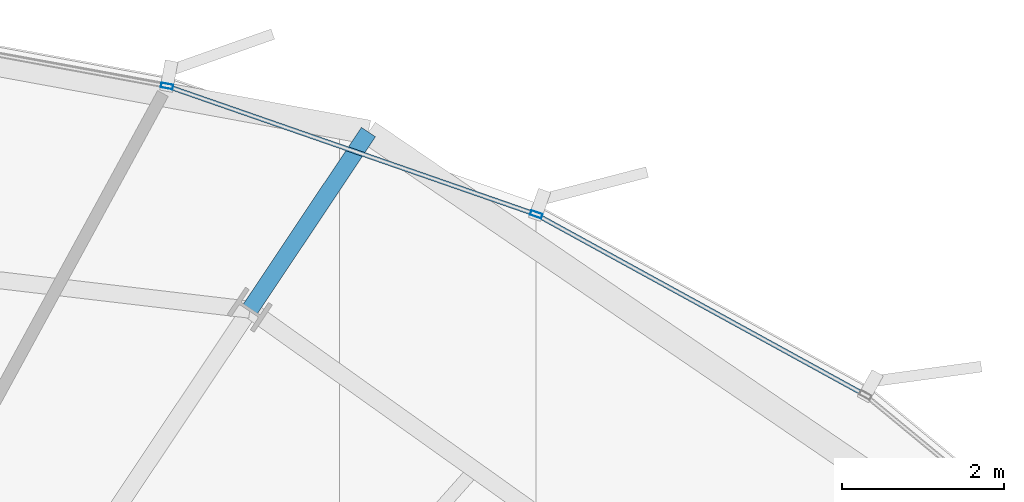
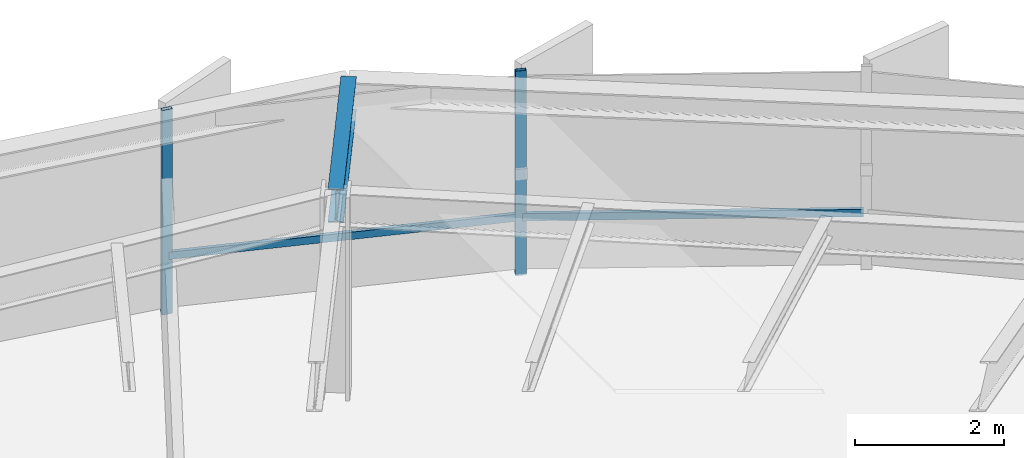
# One storey, part 24 of 35: 4 members, 1 beam, 1 element without a shape of its own.
"""IFC4 building model written with IfcOpenShell, lengths in metres."""

from ifc_helpers import new_model, si_unit, direction, frame, origin, origin_2d, place, context, subcontext, project, spatial, hollow_rectangle, i_section, extrude, source, transform, mapped, material, layer, layer_set, material_profile, profile_set, type_object, element, aggregate, save


model = new_model("IFC4")

# Units and contexts
model_context = context("Model", 3, precision=1e-05, world=origin(), true_north=direction((0.0, 1.0)))
body_context = subcontext(model_context, "Body", "Model", "MODEL_VIEW")
ifc_project = project(units=[si_unit("LENGTHUNIT", "METRE"), si_unit("AREAUNIT", "SQUARE_METRE"), si_unit("VOLUMEUNIT", "CUBIC_METRE"), si_unit("PLANEANGLEUNIT", "RADIAN"), si_unit("MASSUNIT", "GRAM", prefix="KILO"), si_unit("THERMODYNAMICTEMPERATUREUNIT", "KELVIN")], contexts=[model_context])

# Site, building, storey
site_placement = place(None, origin())
site = spatial("IfcSite", under=ifc_project, at=site_placement, CompositionType="ELEMENT")
building_placement = place(site_placement, origin())
building = spatial("IfcBuilding", under=site, at=building_placement, Name="Kethvar Cultural Tower", CompositionType="ELEMENT")
storey_placement = place(building_placement, frame((0.0, 0.0, 107.199951171875)))
storey = spatial("IfcBuildingStorey", under=building, at=storey_placement, Name="L26", CompositionType="ELEMENT", Elevation=107.199951171875)

# Beam
ifc_material_1 = material(Name="Steel S355J2", Category="steel")
ifc_material_profile_1 = material_profile(ifc_material_1, i_section(OverallWidth=0.2099609375, OverallDepth=0.550048828125, WebThickness=0.010986328125, FlangeThickness=0.01708984375, FilletRadius=0.02392578125, at=origin_2d()), Name="Steel S355J2 — IPE550")
ifc_profile_set_1 = profile_set([ifc_material_profile_1], Name="Steel S355J2 — IPE550")
beam_type = type_object("IfcBeamType", Name="BM-IPE550", PredefinedType="BEAM", material=ifc_profile_set_1)
shared_shape_1 = source(origin(), body_context, "Body", "SweptSolid", [
    extrude(i_section(OverallWidth=0.2099609375, OverallDepth=0.550048828125, WebThickness=0.010986328125, FlangeThickness=0.01708984375, FilletRadius=0.02392578125, at=origin_2d()), origin(), (0.0, 0.0, 1.0), 2.638916015625),
])
beam_placement = place(storey_placement, frame((60.40478515625, 48.160888671875, 3.072998046875), z_axis=(0.555575259216, 0.831466253884, 0.0), x_axis=(-0.831466253884, 0.555575259216, 0.0)))
element("IfcBeam", 1, at=beam_placement, inside=storey, type_object=beam_type, Name="L26 Perimeter Cantilever Beam RC-03", PredefinedType="BEAM", context=body_context, shape_type="MappedRepresentation", body=[
    mapped(shared_shape_1, transform((0.0, 0.0, 0.0), scale=1.0)),
])

# Curtain wall, members
ifc_material_2 = material(Name="Aluminium 6063-T6", Category="aluminium")
ifc_layer = layer(ifc_material_2, 0.179931640625, Name="Aluminium 6063-T6", Category="aluminium")
ifc_layer_set = layer_set([ifc_layer], Name="Aluminium 6063-T6 (180 mm)")
curtain_wall_type = type_object("IfcCurtainWallType", Name="CW-SYS-03-Z2", PredefinedType="NOTDEFINED", material=ifc_layer_set)
curtain_wall_placement = place(storey_placement, origin())
curtain_wall = element("IfcCurtainWall", 2, at=curtain_wall_placement, inside=storey, type_object=curtain_wall_type, Name="L26 Curtain Wall Run 01", PredefinedType="NOTDEFINED")
ifc_material_profile_2 = material_profile(ifc_material_2, hollow_rectangle(XDim=0.06005859375, YDim=0.14990234375, WallThickness=0.0048828125, at=origin_2d()), Name="Aluminium 6063-T6 — RHS150x60x5")
ifc_profile_set_2 = profile_set([ifc_material_profile_2], Name="Aluminium 6063-T6 — RHS150x60x5")
member_type_1 = type_object("IfcMemberType", Name="CW-SYS-03-Z2-MUL", PredefinedType="MULLION", material=ifc_profile_set_2)
shared_shape_2 = source(origin(), body_context, "Body", "SweptSolid", [
    extrude(hollow_rectangle(XDim=0.06005859375, YDim=0.14990234375, WallThickness=0.0048828125, at=origin_2d()), origin(), (0.0, 0.0, 1.0), 3.35009765625),
])
member_1_placement = place(storey_placement, frame((63.9453125, 49.337646484375, 0.0), z_axis=(0.0, 0.0, 1.0), x_axis=(-0.328190781038, -0.944611460465, 0.0)))
member_1 = element("IfcMember", 3, at=member_1_placement, type_object=member_type_1, Name="CW-L26-R01 Mullion 5", PredefinedType="MULLION", context=body_context, shape_type="MappedRepresentation", body=[
    mapped(shared_shape_2, transform((0.0, 0.0, 0.0), scale=1.0)),
])
member_2_placement = place(storey_placement, frame((59.380859375, 50.9248046875, 0.0), z_axis=(0.0, 0.0, 1.0), x_axis=(-0.181257256449, -0.983435715736, 0.0)))
member_2 = element("IfcMember", 4, at=member_2_placement, type_object=member_type_1, Name="CW-L26-R01 Mullion 6", PredefinedType="MULLION", context=body_context, shape_type="MappedRepresentation", body=[
    mapped(shared_shape_2, transform((0.0, 0.0, 0.0), scale=1.0)),
])
ifc_material_profile_3 = material_profile(ifc_material_2, hollow_rectangle(XDim=0.054931640625, YDim=0.1201171875, WallThickness=0.00390625, at=origin_2d()), Name="Aluminium 6063-T6 — RHS120x55x4")
ifc_profile_set_3 = profile_set([ifc_material_profile_3], Name="Aluminium 6063-T6 — RHS120x55x4")
member_type_2 = type_object("IfcMemberType", Name="CW-SYS-03-Z2-TRN", PredefinedType="USERDEFINED", material=ifc_profile_set_3)
shared_shape_3 = source(origin(), body_context, "Body", "SweptSolid", [
    extrude(hollow_rectangle(XDim=0.054931640625, YDim=0.1201171875, WallThickness=0.00390625, at=origin_2d()), origin(), (0.0, 0.0, 1.0), 4.573486328125),
])
member_3_placement = place(storey_placement, frame((67.9755859375, 47.12548828125, 0.949951171875), z_axis=(-0.876795710322, 0.480863059883, 0.0), x_axis=(-0.480863059883, -0.876795710322, 0.0)))
member_3 = element("IfcMember", 5, at=member_3_placement, type_object=member_type_2, Name="CW-L26-R01 Transom 4", ObjectType="TRANSOM", PredefinedType="USERDEFINED", context=body_context, shape_type="MappedRepresentation", body=[
    mapped(shared_shape_3, transform((0.0, 0.0, 0.0), scale=1.0)),
])
shared_shape_4 = source(origin(), body_context, "Body", "SweptSolid", [
    extrude(hollow_rectangle(XDim=0.054931640625, YDim=0.1201171875, WallThickness=0.00390625, at=origin_2d()), origin(), (0.0, 0.0, 1.0), 4.763427734375),
])
member_4_placement = place(storey_placement, frame((63.904296875, 49.351806640625, 0.949951171875), z_axis=(-0.944599084705, 0.328226399265, 0.0), x_axis=(-0.328226399265, -0.944599084705, 0.0)))
member_4 = element("IfcMember", 6, at=member_4_placement, type_object=member_type_2, Name="CW-L26-R01 Transom 5", ObjectType="TRANSOM", PredefinedType="USERDEFINED", context=body_context, shape_type="MappedRepresentation", body=[
    mapped(shared_shape_4, transform((0.0, 0.0, 0.0), scale=1.0)),
])
aggregate(curtain_wall, [member_1, member_2, member_3, member_4])

save(model, "model.ifc")
